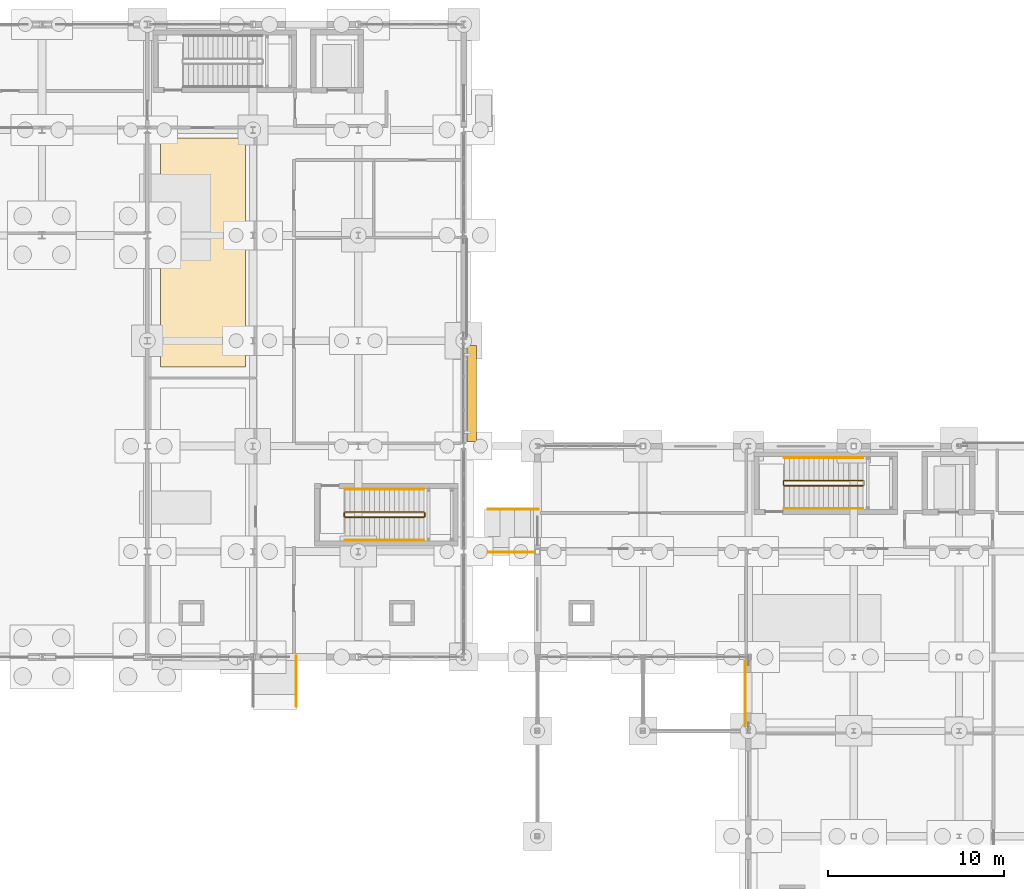
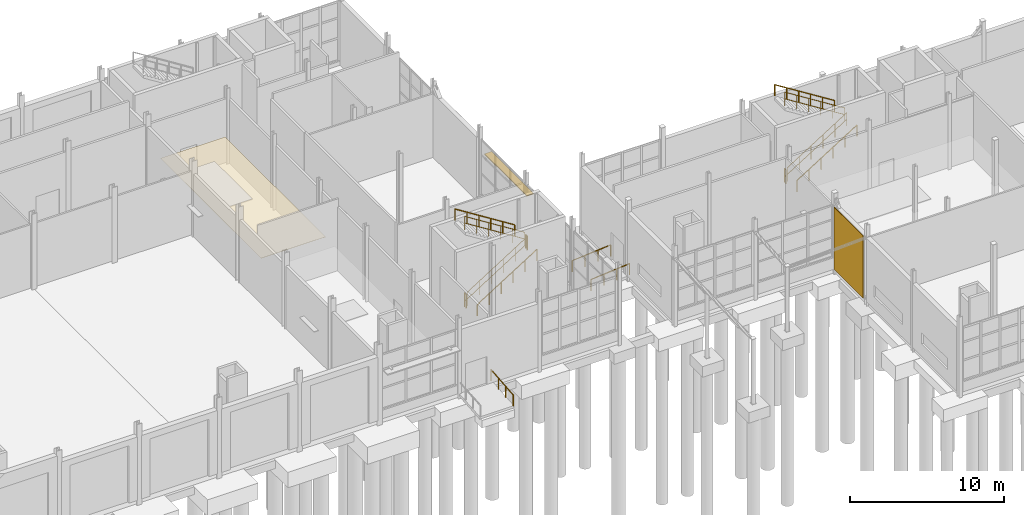
# One storey, part 114 of 120: 14 railings, 2 coverings, 1 shading device.
"""IFC4 building model written with IfcOpenShell, lengths in metres."""

from ifc_helpers import new_model, si_unit, direction, frame, origin, origin_2d, place, context, subcontext, project, spatial, polyline, rectangle, circle, outline, extrude, material, layer, layer_set, type_object, element, save


model = new_model("IFC4")

# Units and contexts
model_context = context("Model", 3, precision=1e-05, world=origin(), true_north=direction((0.0, 1.0)))
body_context = subcontext(model_context, "Body", "Model", "MODEL_VIEW")
ifc_project = project(units=[si_unit("LENGTHUNIT", "METRE"), si_unit("AREAUNIT", "SQUARE_METRE"), si_unit("VOLUMEUNIT", "CUBIC_METRE"), si_unit("PLANEANGLEUNIT", "RADIAN"), si_unit("MASSUNIT", "GRAM", prefix="KILO")], contexts=[model_context])

# Site, building, storey
site_placement = place(None, origin())
site = spatial("IfcSite", under=ifc_project, at=site_placement, CompositionType="ELEMENT")
building_placement = place(site_placement, origin())
building = spatial("IfcBuilding", under=site, at=building_placement, Name="Siltcreek Boulevard Central Fire Station", CompositionType="ELEMENT")
storey_placement = place(building_placement, origin())
storey = spatial("IfcBuildingStorey", under=building, at=storey_placement, Name="L01", CompositionType="ELEMENT", Elevation=0.0)

# Coverings
ifc_material_1 = material(Name="Mineral-fiber acoustic ceiling tile", Category="gypsum")
ifc_layer_1 = layer(ifc_material_1, 0.02490234375, Name="Mineral-fiber acoustic ceiling tile")
ifc_layer_set_1 = layer_set([ifc_layer_1], Name="Mineral-fiber acoustic ceiling tile")
covering_type_1 = type_object("IfcCoveringType", Name="COV_CEIL_ACT", PredefinedType="CEILING", material=ifc_layer_set_1)
covering_1_placement = place(storey_placement, frame((0.0, 0.0, 2.419921875)))
element("IfcCovering", 1, at=covering_1_placement, inside=storey, type_object=covering_type_1, Name="L01 Company Officer Report Room acoustic ceiling ACT-003", PredefinedType="CEILING", context=body_context, shape_type="SweptSolid", body=[
    extrude(outline(polyline([(90.75, 34.5), (95.580078125, 34.5), (95.580078125, 47.550048828125), (90.75, 47.550048828125), (90.75, 34.5)])), origin(), (0.0, 0.0, 1.0), 0.025146484375),
])
ifc_material_2 = material(Name="Crisp white ribbed aluminum facade panel", Category="aluminium")
ifc_layer_2 = layer(ifc_material_2, 0.0400390625, Name="Crisp white ribbed aluminum facade panel")
ifc_layer_set_2 = layer_set([ifc_layer_2], Name="Crisp white ribbed aluminum facade panel")
covering_type_2 = type_object("IfcCoveringType", Name="COV_CLAD_WHITE", PredefinedType="CLADDING", material=ifc_layer_set_2)
covering_2_placement = place(storey_placement, frame((124.02197265625, 15.89990234375, 0.0498046875), z_axis=(0.0, 0.0, 1.0), x_axis=(0.0, -1.0, 0.0)))
element("IfcCovering", 2, at=covering_2_placement, inside=storey, type_object=covering_type_2, Name="L01 V6 ventilated facade cladding panel CL-025", PredefinedType="CLADDING", context=body_context, shape_type="SweptSolid", body=[
    extrude(rectangle(XDim=3.75, YDim=0.0400390625, at=origin_2d()), origin(), (0.0, 0.0, 1.0), 4.944091796875),
])

# Railings
ifc_material_3 = material(Name="Painted galvanized steel stair guard", Category="steel")
railing_type_1 = type_object("IfcRailingType", Name="RL_ST_GUARD", PredefinedType="BALUSTRADE", material=ifc_material_3)
railing_1_placement = place(storey_placement, frame((101.25, 25.949951171875, 0.176513671875)))
element("IfcRailing", 3, at=railing_1_placement, inside=storey, type_object=railing_type_1, Name="L01 ST-V2B stair guard 1", PredefinedType="BALUSTRADE", context=body_context, shape_type="SweptSolid", body=[
    extrude(circle(Radius=0.02392578125, at=origin_2d()), frame((0.0, 0.0, 1.076171875), z_axis=(0.845997938375, 0.0, 0.533186166611), x_axis=(0.0, 1.0, 0.0)), (0.0, 0.0, 1.0), 5.29541015625),
    extrude(circle(Radius=0.02392578125, at=origin_2d()), frame((0.0, 0.0, 0.550048828125), z_axis=(0.845997938375, 0.0, 0.533186166611), x_axis=(0.0, 1.0, 0.0)), (0.0, 0.0, 1.0), 5.29541015625),
    extrude(circle(Radius=0.02099609375, at=origin_2d()), origin(), (0.0, 0.0, 1.0), 1.052001953125),
    extrude(circle(Radius=0.02099609375, at=origin_2d()), frame((0.89599609375, 0.0, 0.564697265625)), (0.0, 0.0, 1.0), 1.052001953125),
    extrude(circle(Radius=0.02099609375, at=origin_2d()), frame((1.7919921875, 0.0, 1.12939453125)), (0.0, 0.0, 1.0), 1.052001953125),
    extrude(circle(Radius=0.02099609375, at=origin_2d()), frame((2.68798828125, 0.0, 1.694091796875)), (0.0, 0.0, 1.0), 1.052001953125),
    extrude(circle(Radius=0.02099609375, at=origin_2d()), frame((3.583984375, 0.0, 2.2587890625)), (0.0, 0.0, 1.0), 1.052001953125),
    extrude(circle(Radius=0.02099609375, at=origin_2d()), frame((4.47998046875, 0.0, 2.823486328125)), (0.0, 0.0, 1.0), 1.052001953125),
])
railing_2_placement = place(storey_placement, frame((105.780029296875, 26.0, 3.0)))
element("IfcRailing", 4, at=railing_2_placement, inside=storey, type_object=railing_type_1, Name="L01 ST-V2B stair guard 2", PredefinedType="BALUSTRADE", context=body_context, shape_type="SweptSolid", body=[
    extrude(circle(Radius=0.02392578125, at=origin_2d()), frame((0.0, 0.0, 1.076171875), z_axis=(0.0, 1.0, 0.0), x_axis=(-1.0, 0.0, 0.0)), (0.0, 0.0, 1.0), 0.199951171875),
    extrude(circle(Radius=0.02392578125, at=origin_2d()), frame((0.0, 0.0, 0.550048828125), z_axis=(0.0, 1.0, 0.0), x_axis=(-1.0, 0.0, 0.0)), (0.0, 0.0, 1.0), 0.199951171875),
    extrude(circle(Radius=0.02099609375, at=origin_2d()), origin(), (0.0, 0.0, 1.0), 1.052001953125),
    extrude(circle(Radius=0.02099609375, at=origin_2d()), frame((0.0, 0.199951171875, 0.0)), (0.0, 0.0, 1.0), 1.052001953125),
])
railing_3_placement = place(storey_placement, frame((105.72998046875, 26.25, 3.176513671875)))
element("IfcRailing", 5, at=railing_3_placement, inside=storey, type_object=railing_type_1, Name="L01 ST-V2B stair guard 3", PredefinedType="BALUSTRADE", context=body_context, shape_type="SweptSolid", body=[
    extrude(circle(Radius=0.02392578125, at=origin_2d()), frame((0.0, 0.0, 1.076171875), z_axis=(-0.845997938375, 0.0, 0.533186166611), x_axis=(0.0, -1.0, 0.0)), (0.0, 0.0, 1.0), 5.29541015625),
    extrude(circle(Radius=0.02392578125, at=origin_2d()), frame((0.0, 0.0, 0.550048828125), z_axis=(-0.845997938375, 0.0, 0.533186166611), x_axis=(0.0, -1.0, 0.0)), (0.0, 0.0, 1.0), 5.29541015625),
    extrude(circle(Radius=0.02099609375, at=origin_2d()), origin(), (0.0, 0.0, 1.0), 1.052001953125),
    extrude(circle(Radius=0.02099609375, at=origin_2d()), frame((-0.89599609375, 0.0, 0.564697265625)), (0.0, 0.0, 1.0), 1.052001953125),
    extrude(circle(Radius=0.02099609375, at=origin_2d()), frame((-1.7919921875, 0.0, 1.12939453125)), (0.0, 0.0, 1.0), 1.052001953125),
    extrude(circle(Radius=0.02099609375, at=origin_2d()), frame((-2.68798828125, 0.0, 1.694091796875)), (0.0, 0.0, 1.0), 1.052001953125),
    extrude(circle(Radius=0.02099609375, at=origin_2d()), frame((-3.583984375, 0.0, 2.2587890625)), (0.0, 0.0, 1.0), 1.052001953125),
    extrude(circle(Radius=0.02099609375, at=origin_2d()), frame((-4.47998046875, 0.0, 2.823486328125)), (0.0, 0.0, 1.0), 1.052001953125),
])
railing_4_placement = place(storey_placement, frame((101.199951171875, 26.0, 0.0)))
element("IfcRailing", 6, at=railing_4_placement, inside=storey, type_object=railing_type_1, Name="L01 ST-V2B stair guard 4", PredefinedType="BALUSTRADE", context=body_context, shape_type="SweptSolid", body=[
    extrude(circle(Radius=0.02392578125, at=origin_2d()), frame((0.0, 0.0, 1.076171875), z_axis=(0.0, 1.0, 0.0), x_axis=(-1.0, 0.0, 0.0)), (0.0, 0.0, 1.0), 0.199951171875),
    extrude(circle(Radius=0.02392578125, at=origin_2d()), frame((0.0, 0.0, 0.550048828125), z_axis=(0.0, 1.0, 0.0), x_axis=(-1.0, 0.0, 0.0)), (0.0, 0.0, 1.0), 0.199951171875),
    extrude(circle(Radius=0.02099609375, at=origin_2d()), origin(), (0.0, 0.0, 1.0), 1.052001953125),
    extrude(circle(Radius=0.02099609375, at=origin_2d()), frame((0.0, 0.199951171875, 0.0)), (0.0, 0.0, 1.0), 1.052001953125),
])
railing_5_placement = place(storey_placement, frame((126.25, 27.75, 0.176513671875)))
element("IfcRailing", 7, at=railing_5_placement, inside=storey, type_object=railing_type_1, Name="L01 ST-V6A stair guard 1", PredefinedType="BALUSTRADE", context=body_context, shape_type="SweptSolid", body=[
    extrude(circle(Radius=0.02392578125, at=origin_2d()), frame((0.0, 0.0, 1.076171875), z_axis=(0.845997938375, 0.0, 0.533186166611), x_axis=(0.0, 1.0, 0.0)), (0.0, 0.0, 1.0), 5.29541015625),
    extrude(circle(Radius=0.02392578125, at=origin_2d()), frame((0.0, 0.0, 0.550048828125), z_axis=(0.845997938375, 0.0, 0.533186166611), x_axis=(0.0, 1.0, 0.0)), (0.0, 0.0, 1.0), 5.29541015625),
    extrude(circle(Radius=0.02099609375, at=origin_2d()), origin(), (0.0, 0.0, 1.0), 1.052001953125),
    extrude(circle(Radius=0.02099609375, at=origin_2d()), frame((0.89599609375, 0.0, 0.564697265625)), (0.0, 0.0, 1.0), 1.052001953125),
    extrude(circle(Radius=0.02099609375, at=origin_2d()), frame((1.7919921875, 0.0, 1.12939453125)), (0.0, 0.0, 1.0), 1.052001953125),
    extrude(circle(Radius=0.02099609375, at=origin_2d()), frame((2.68798828125, 0.0, 1.694091796875)), (0.0, 0.0, 1.0), 1.052001953125),
    extrude(circle(Radius=0.02099609375, at=origin_2d()), frame((3.583984375, 0.0, 2.2587890625)), (0.0, 0.0, 1.0), 1.052001953125),
    extrude(circle(Radius=0.02099609375, at=origin_2d()), frame((4.47998046875, 0.0, 2.823486328125)), (0.0, 0.0, 1.0), 1.052001953125),
])
railing_6_placement = place(storey_placement, frame((130.72998046875, 28.050048828125, 3.176513671875)))
element("IfcRailing", 8, at=railing_6_placement, inside=storey, type_object=railing_type_1, Name="L01 ST-V6A stair guard 3", PredefinedType="BALUSTRADE", context=body_context, shape_type="SweptSolid", body=[
    extrude(circle(Radius=0.02392578125, at=origin_2d()), frame((0.0, 0.0, 1.076171875), z_axis=(-0.845997938375, 0.0, 0.533186166611), x_axis=(0.0, -1.0, 0.0)), (0.0, 0.0, 1.0), 5.29541015625),
    extrude(circle(Radius=0.02392578125, at=origin_2d()), frame((0.0, 0.0, 0.550048828125), z_axis=(-0.845997938375, 0.0, 0.533186166611), x_axis=(0.0, -1.0, 0.0)), (0.0, 0.0, 1.0), 5.29541015625),
    extrude(circle(Radius=0.02099609375, at=origin_2d()), origin(), (0.0, 0.0, 1.0), 1.052001953125),
    extrude(circle(Radius=0.02099609375, at=origin_2d()), frame((-0.89599609375, 0.0, 0.564697265625)), (0.0, 0.0, 1.0), 1.052001953125),
    extrude(circle(Radius=0.02099609375, at=origin_2d()), frame((-1.7919921875, 0.0, 1.12939453125)), (0.0, 0.0, 1.0), 1.052001953125),
    extrude(circle(Radius=0.02099609375, at=origin_2d()), frame((-2.68798828125, 0.0, 1.694091796875)), (0.0, 0.0, 1.0), 1.052001953125),
    extrude(circle(Radius=0.02099609375, at=origin_2d()), frame((-3.583984375, 0.0, 2.2587890625)), (0.0, 0.0, 1.0), 1.052001953125),
    extrude(circle(Radius=0.02099609375, at=origin_2d()), frame((-4.47998046875, 0.0, 2.823486328125)), (0.0, 0.0, 1.0), 1.052001953125),
])
railing_7_placement = place(storey_placement, frame((126.199951171875, 27.800048828125, 0.0)))
element("IfcRailing", 9, at=railing_7_placement, inside=storey, type_object=railing_type_1, Name="L01 ST-V6A stair guard 4", PredefinedType="BALUSTRADE", context=body_context, shape_type="SweptSolid", body=[
    extrude(circle(Radius=0.02392578125, at=origin_2d()), frame((0.0, 0.0, 1.076171875), z_axis=(0.0, 1.0, 0.0), x_axis=(-1.0, 0.0, 0.0)), (0.0, 0.0, 1.0), 0.199951171875),
    extrude(circle(Radius=0.02392578125, at=origin_2d()), frame((0.0, 0.0, 0.550048828125), z_axis=(0.0, 1.0, 0.0), x_axis=(-1.0, 0.0, 0.0)), (0.0, 0.0, 1.0), 0.199951171875),
    extrude(circle(Radius=0.02099609375, at=origin_2d()), origin(), (0.0, 0.0, 1.0), 1.052001953125),
    extrude(circle(Radius=0.02099609375, at=origin_2d()), frame((0.0, 0.199951171875, 0.0)), (0.0, 0.0, 1.0), 1.052001953125),
])
ifc_material_4 = material(Name="Brushed stainless steel stair handrail", Category="steel")
railing_type_2 = type_object("IfcRailingType", Name="RL_ST_HAND", PredefinedType="HANDRAIL", material=ifc_material_4)
railing_8_placement = place(storey_placement, frame((101.25, 24.64990234375, 0.176513671875)))
element("IfcRailing", 10, at=railing_8_placement, inside=storey, type_object=railing_type_2, Name="L01 ST-V2B stair handrail 1", PredefinedType="HANDRAIL", context=body_context, shape_type="SweptSolid", body=[
    extrude(circle(Radius=0.02392578125, at=origin_2d()), frame((0.0, 0.0, 0.8759765625), z_axis=(0.845997938375, 0.0, 0.533186166611), x_axis=(0.0, 1.0, 0.0)), (0.0, 0.0, 1.0), 5.29541015625),
    extrude(circle(Radius=0.02099609375, at=origin_2d()), origin(), (0.0, 0.0, 1.0), 0.851806640625),
    extrude(circle(Radius=0.02099609375, at=origin_2d()), frame((0.89599609375, 0.0, 0.564697265625)), (0.0, 0.0, 1.0), 0.851806640625),
    extrude(circle(Radius=0.02099609375, at=origin_2d()), frame((1.7919921875, 0.0, 1.12939453125)), (0.0, 0.0, 1.0), 0.851806640625),
    extrude(circle(Radius=0.02099609375, at=origin_2d()), frame((2.68798828125, 0.0, 1.694091796875)), (0.0, 0.0, 1.0), 0.851806640625),
    extrude(circle(Radius=0.02099609375, at=origin_2d()), frame((3.583984375, 0.0, 2.2587890625)), (0.0, 0.0, 1.0), 0.851806640625),
    extrude(circle(Radius=0.02099609375, at=origin_2d()), frame((4.47998046875, 0.0, 2.823486328125)), (0.0, 0.0, 1.0), 0.851806640625),
])
railing_9_placement = place(storey_placement, frame((105.72998046875, 27.550048828125, 3.176513671875)))
element("IfcRailing", 11, at=railing_9_placement, inside=storey, type_object=railing_type_2, Name="L01 ST-V2B stair handrail 2", PredefinedType="HANDRAIL", context=body_context, shape_type="SweptSolid", body=[
    extrude(circle(Radius=0.02392578125, at=origin_2d()), frame((0.0, 0.0, 0.8759765625), z_axis=(-0.845997938375, 0.0, 0.533186166611), x_axis=(0.0, -1.0, 0.0)), (0.0, 0.0, 1.0), 5.29541015625),
    extrude(circle(Radius=0.02099609375, at=origin_2d()), origin(), (0.0, 0.0, 1.0), 0.851806640625),
    extrude(circle(Radius=0.02099609375, at=origin_2d()), frame((-0.89599609375, 0.0, 0.564697265625)), (0.0, 0.0, 1.0), 0.851806640625),
    extrude(circle(Radius=0.02099609375, at=origin_2d()), frame((-1.7919921875, 0.0, 1.12939453125)), (0.0, 0.0, 1.0), 0.851806640625),
    extrude(circle(Radius=0.02099609375, at=origin_2d()), frame((-2.68798828125, 0.0, 1.694091796875)), (0.0, 0.0, 1.0), 0.851806640625),
    extrude(circle(Radius=0.02099609375, at=origin_2d()), frame((-3.583984375, 0.0, 2.2587890625)), (0.0, 0.0, 1.0), 0.851806640625),
    extrude(circle(Radius=0.02099609375, at=origin_2d()), frame((-4.47998046875, 0.0, 2.823486328125)), (0.0, 0.0, 1.0), 0.851806640625),
])
railing_10_placement = place(storey_placement, frame((126.25, 26.449951171875, 0.176513671875)))
element("IfcRailing", 12, at=railing_10_placement, inside=storey, type_object=railing_type_2, Name="L01 ST-V6A stair handrail 1", PredefinedType="HANDRAIL", context=body_context, shape_type="SweptSolid", body=[
    extrude(circle(Radius=0.02392578125, at=origin_2d()), frame((0.0, 0.0, 0.8759765625), z_axis=(0.845997938375, 0.0, 0.533186166611), x_axis=(0.0, 1.0, 0.0)), (0.0, 0.0, 1.0), 5.29541015625),
    extrude(circle(Radius=0.02099609375, at=origin_2d()), origin(), (0.0, 0.0, 1.0), 0.851806640625),
    extrude(circle(Radius=0.02099609375, at=origin_2d()), frame((0.89599609375, 0.0, 0.564697265625)), (0.0, 0.0, 1.0), 0.851806640625),
    extrude(circle(Radius=0.02099609375, at=origin_2d()), frame((1.7919921875, 0.0, 1.12939453125)), (0.0, 0.0, 1.0), 0.851806640625),
    extrude(circle(Radius=0.02099609375, at=origin_2d()), frame((2.68798828125, 0.0, 1.694091796875)), (0.0, 0.0, 1.0), 0.851806640625),
    extrude(circle(Radius=0.02099609375, at=origin_2d()), frame((3.583984375, 0.0, 2.2587890625)), (0.0, 0.0, 1.0), 0.851806640625),
    extrude(circle(Radius=0.02099609375, at=origin_2d()), frame((4.47998046875, 0.0, 2.823486328125)), (0.0, 0.0, 1.0), 0.851806640625),
])
railing_11_placement = place(storey_placement, frame((130.72998046875, 29.35009765625, 3.176513671875)))
element("IfcRailing", 13, at=railing_11_placement, inside=storey, type_object=railing_type_2, Name="L01 ST-V6A stair handrail 2", PredefinedType="HANDRAIL", context=body_context, shape_type="SweptSolid", body=[
    extrude(circle(Radius=0.02392578125, at=origin_2d()), frame((0.0, 0.0, 0.8759765625), z_axis=(-0.845997938375, 0.0, 0.533186166611), x_axis=(0.0, -1.0, 0.0)), (0.0, 0.0, 1.0), 5.29541015625),
    extrude(circle(Radius=0.02099609375, at=origin_2d()), origin(), (0.0, 0.0, 1.0), 0.851806640625),
    extrude(circle(Radius=0.02099609375, at=origin_2d()), frame((-0.89599609375, 0.0, 0.564697265625)), (0.0, 0.0, 1.0), 0.851806640625),
    extrude(circle(Radius=0.02099609375, at=origin_2d()), frame((-1.7919921875, 0.0, 1.12939453125)), (0.0, 0.0, 1.0), 0.851806640625),
    extrude(circle(Radius=0.02099609375, at=origin_2d()), frame((-2.68798828125, 0.0, 1.694091796875)), (0.0, 0.0, 1.0), 0.851806640625),
    extrude(circle(Radius=0.02099609375, at=origin_2d()), frame((-3.583984375, 0.0, 2.2587890625)), (0.0, 0.0, 1.0), 0.851806640625),
    extrude(circle(Radius=0.02099609375, at=origin_2d()), frame((-4.47998046875, 0.0, 2.823486328125)), (0.0, 0.0, 1.0), 0.851806640625),
])
railing_12_placement = place(storey_placement, frame((98.47509765625, 15.179931640625, -0.239990234375)))
element("IfcRailing", 14, at=railing_12_placement, inside=storey, type_object=railing_type_2, Name="Accessible ramp RM-02 handrail R", PredefinedType="HANDRAIL", context=body_context, shape_type="SweptSolid", body=[
    extrude(circle(Radius=0.02392578125, at=origin_2d()), frame((0.0, 0.0, 0.8759765625), z_axis=(0.0, 0.996546340804, 0.083038488854), x_axis=(-1.0, 0.0, 0.0)), (0.0, 0.0, 1.0), 2.89013671875),
    extrude(circle(Radius=0.02099609375, at=origin_2d()), origin(), (0.0, 0.0, 1.0), 0.851806640625),
    extrude(circle(Radius=0.02099609375, at=origin_2d()), frame((0.0, 0.9599609375, 0.080078125)), (0.0, 0.0, 1.0), 0.851806640625),
    extrude(circle(Radius=0.02099609375, at=origin_2d()), frame((0.0, 1.920166015625, 0.159912109375)), (0.0, 0.0, 1.0), 0.851806640625),
    extrude(circle(Radius=0.02099609375, at=origin_2d()), frame((0.0, 2.880126953125, 0.239990234375)), (0.0, 0.0, 1.0), 0.851806640625),
])
for number, where, name in (
    (15, (109.3798828125, 26.405029296875, -0.239990234375), "Accessible ramp RM-03 handrail L"),
    (16, (109.3798828125, 23.955078125, -0.239990234375), "Accessible ramp RM-03 handrail R"),
):
    element("IfcRailing", number, at=place(storey_placement, frame(where)), inside=storey, type_object=railing_type_2, Name=name, PredefinedType="HANDRAIL", context=body_context, shape_type="SweptSolid", body=[
        extrude(circle(Radius=0.02392578125, at=origin_2d()), frame((0.0, 0.0, 0.8759765625), z_axis=(0.996546340804, 0.0, 0.083038488854), x_axis=(0.0, 1.0, 0.0)), (0.0, 0.0, 1.0), 2.89013671875),
        extrude(circle(Radius=0.02099609375, at=origin_2d()), origin(), (0.0, 0.0, 1.0), 0.851806640625),
        extrude(circle(Radius=0.02099609375, at=origin_2d()), frame((0.9599609375, 0.0, 0.080078125)), (0.0, 0.0, 1.0), 0.851806640625),
        extrude(circle(Radius=0.02099609375, at=origin_2d()), frame((1.920166015625, 0.0, 0.159912109375)), (0.0, 0.0, 1.0), 0.851806640625),
        extrude(circle(Radius=0.02099609375, at=origin_2d()), frame((2.880126953125, 0.0, 0.239990234375)), (0.0, 0.0, 1.0), 0.851806640625),
    ])

# Shading device
ifc_material_5 = material(Name="Frey sage-green anodized tubular aluminum sunshade", Category="aluminium")
ifc_layer_3 = layer(ifc_material_5, 0.080078125, Name="Frey sage-green anodized tubular aluminum sunshade")
ifc_layer_set_3 = layer_set([ifc_layer_3], Name="Frey sage-green anodized tubular aluminum sunshade")
shading_device_type = type_object("IfcShadingDeviceType", Name="SHD_BRISE", PredefinedType="USERDEFINED", material=ifc_layer_set_3)
shading_device_placement = place(storey_placement, frame((108.4599609375, 33.0, 3.781982421875), z_axis=(0.0, 0.0, 1.0), x_axis=(0.0, 1.0, 0.0)))
element("IfcShadingDevice", 17, at=shading_device_placement, inside=storey, type_object=shading_device_type, Name="Anodized tubular aluminum brise-soleil SS-019", ObjectType="SUNSHADE", PredefinedType="USERDEFINED", context=body_context, shape_type="SweptSolid", body=[
    extrude(rectangle(XDim=5.469970703125, YDim=0.52001953125, at=origin_2d()), origin(), (0.0, 0.0, 1.0), 0.080078125),
])

save(model, "model.ifc")
